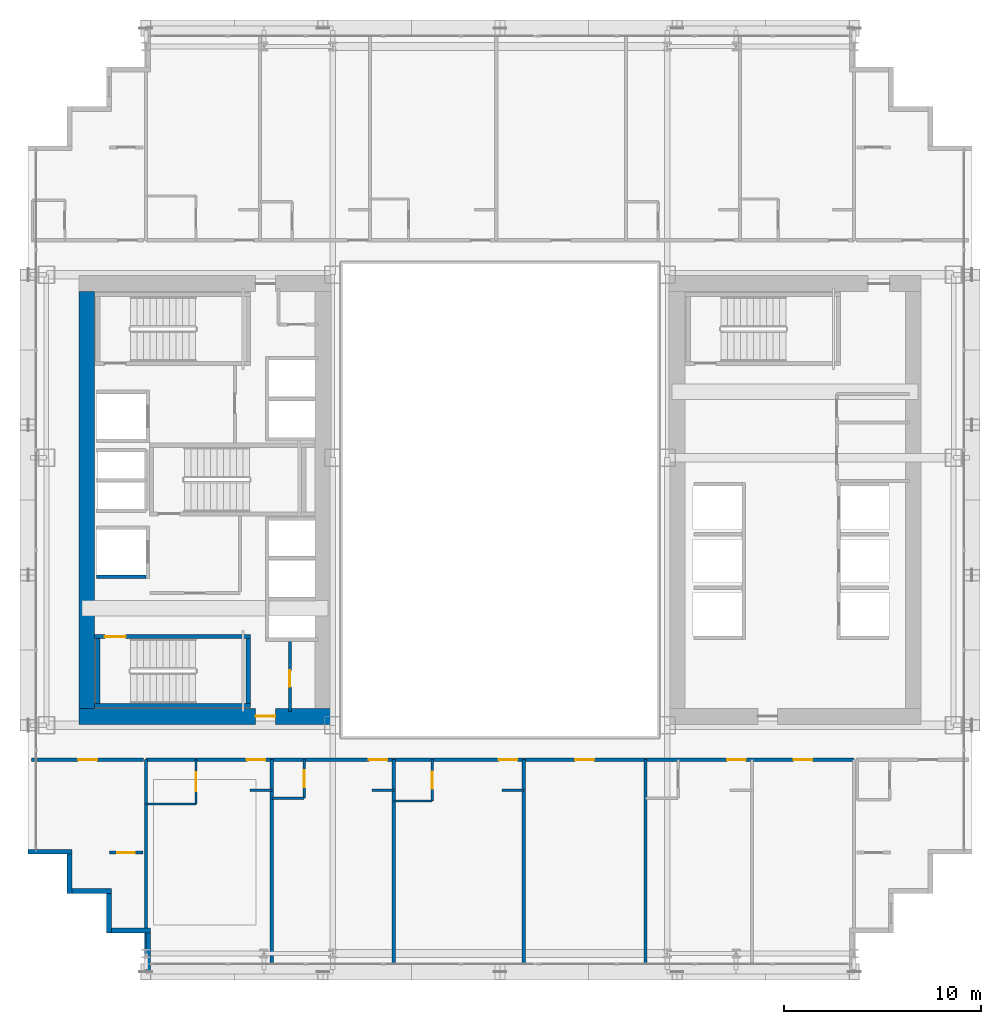
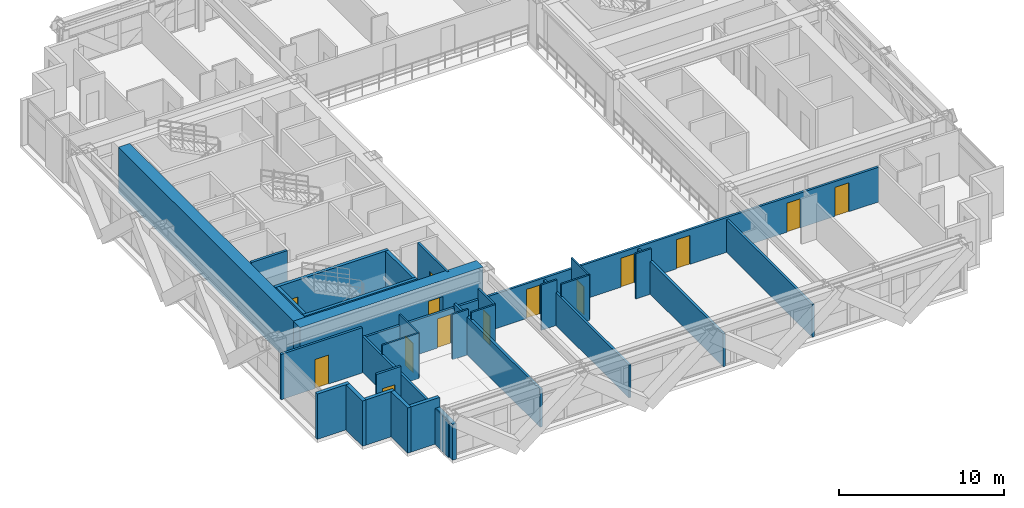
# One storey, part 30 of 38: 31 walls, 14 doors, 14 openings.
"""IFC4 building model written with IfcOpenShell, lengths in metres."""

from ifc_helpers import new_model, si_unit, direction, frame, frame_2d, origin, place, context, subcontext, project, spatial, rectangle, extrude, source, transform, mapped, material, layer, layer_set, type_object, element, fill, save


model = new_model("IFC4")

# Units and contexts
model_context = context("Model", 3, precision=1e-05, world=origin(), true_north=direction((0.0, 1.0)))
body_context = subcontext(model_context, "Body", "Model", "MODEL_VIEW")
ifc_project = project(units=[si_unit("LENGTHUNIT", "METRE"), si_unit("AREAUNIT", "SQUARE_METRE"), si_unit("VOLUMEUNIT", "CUBIC_METRE"), si_unit("PLANEANGLEUNIT", "RADIAN"), si_unit("MASSUNIT", "GRAM", prefix="KILO")], contexts=[model_context])

# Site, building, storey
site_placement = place(None, origin())
site = spatial("IfcSite", under=ifc_project, at=site_placement, CompositionType="ELEMENT")
building_placement = place(site_placement, origin())
building = spatial("IfcBuilding", under=site, at=building_placement, Name="Ocotamira Hotel", CompositionType="ELEMENT")
storey_placement = place(building_placement, frame((0.0, 0.0, 45.60009765625)))
storey = spatial("IfcBuildingStorey", under=building, at=storey_placement, Name="L10", CompositionType="ELEMENT", Elevation=45.60009765625)

# Wall, opening, door
ifc_material_1 = material(Name="Concrete C60/75", Category="concrete")
ifc_layer_1 = layer(ifc_material_1, 0.800048828125)
ifc_layer_set_1 = layer_set([ifc_layer_1], Name="Concrete C60/75")
wall_type_1 = type_object("IfcWallType", Name="WL-CORE-800", PredefinedType="SHEAR", material=ifc_layer_set_1)
wall_1_placement = place(storey_placement, frame((10.60009765625, 15.0, 0.0), z_axis=(0.0, 0.0, 1.0), x_axis=(1.0, 0.0, 0.0)))
wall_1 = element("IfcWall", 1, at=wall_1_placement, inside=storey, type_object=wall_type_1, Name="L10 Shear Core Wall WCORE-S", PredefinedType="SHEAR", context=body_context, shape_type="SweptSolid", body=[
    extrude(rectangle(XDim=12.7998046875, YDim=0.800048828125, at=frame_2d((6.39990234375, 0.0))), origin(), (0.0, 0.0, 1.0), 3.349853515625),
])
opening_1_placement = place(wall_1_placement, frame((8.97998046875, 0.0, 0.0)))
opening_1 = element("IfcOpeningElement", 2, at=opening_1_placement, cuts=wall_1, Name="Opening D-FR2", PredefinedType="OPENING", context=body_context, shape_type="SweptSolid", body=[
    extrude(rectangle(XDim=1.0, YDim=2.14990234375, at=frame_2d((0.5, 1.074951171875))), frame((0.0, 0.41015625, 0.0), z_axis=(0.0, -1.0, 0.0), x_axis=(1.0, 0.0, 0.0)), (0.0, 0.0, 1.0), 0.820068359375),
])
ifc_material_2 = material(Name="Fire-rated acoustic timber-veneer door", Category="wood")
door_type_1 = type_object("IfcDoorType", Name="DR-FIRE-1000", OperationType="NOTDEFINED", PredefinedType="DOOR", material=ifc_material_2)
shared_shape_1 = source(origin(), body_context, "Body", "SweptSolid", [
    extrude(rectangle(XDim=1.0, YDim=2.14990234375, at=frame_2d((0.5, 1.074951171875))), frame((0.0, 0.02490234375, 0.0), z_axis=(0.0, -1.0, 0.0), x_axis=(1.0, 0.0, 0.0)), (0.0, 0.0, 1.0), 0.050048828125),
])
door_1_placement = place(opening_1_placement, origin())
door_1 = element("IfcDoor", 3, at=door_1_placement, inside=storey, type_object=door_type_1, Name="L10 Door ID-L10-WLOB-S-D [ID-L10-WLOB-S-D]", OperationType="SINGLE_SWING_LEFT", OverallHeight=2.14990234375, OverallWidth=1.0, PredefinedType="DOOR", context=body_context, shape_type="MappedRepresentation", body=[
    mapped(shared_shape_1, transform((0.0, 0.0, 0.0), scale=1.0)),
])
fill(opening_1, door_1)

# Walls
wall_2_placement = place(storey_placement, frame((11.0, 15.39990234375, 0.0), z_axis=(0.0, 0.0, 1.0), x_axis=(0.0, 1.0, 0.0)))
element("IfcWall", 4, at=wall_2_placement, inside=storey, type_object=wall_type_1, Name="L10 Shear Core Wall WCORE-W", PredefinedType="SHEAR", context=body_context, shape_type="SweptSolid", body=[
    extrude(rectangle(XDim=21.2001953125, YDim=0.800048828125, at=frame_2d((10.60009765625, 0.0))), origin(), (0.0, 0.0, 1.0), 3.349853515625),
])
ifc_material_3 = material(Name="Precast concrete C45/55", Category="concrete")
ifc_layer_2 = layer(ifc_material_3, 0.25)
ifc_layer_set_2 = layer_set([ifc_layer_2], Name="Precast concrete C45/55")
wall_type_2 = type_object("IfcWallType", Name="WL-EXT-SER-250", PredefinedType="SOLIDWALL", material=ifc_layer_set_2)
wall_3_placement = place(storey_placement, frame((8.0, 8.125, 0.0), z_axis=(0.0, 0.0, 1.0), x_axis=(1.0, 0.0, 0.0)))
element("IfcWall", 5, at=wall_3_placement, inside=storey, type_object=wall_type_2, Name="L10 Serrated Corner Wall 19", PredefinedType="SOLIDWALL", context=body_context, shape_type="SweptSolid", body=[
    extrude(rectangle(XDim=2.25, YDim=0.25, at=frame_2d((1.125, 0.0))), origin(), (0.0, 0.0, 1.0), 3.349853515625),
])
for number, where, z_axis, x_axis, name in (
    (6, (10.125, 8.0, 0.0), (0.0, 0.0, 1.0), (0.0, -1.0, 0.0), "L10 Serrated Corner Wall 20"),
    (7, (10.25, 6.125, 0.0), (0.0, 0.0, 1.0), (1.0, 0.0, 0.0), "L10 Serrated Corner Wall 21"),
    (8, (12.125, 6.0, 0.0), (0.0, 0.0, 1.0), (0.0, -1.0, 0.0), "L10 Serrated Corner Wall 22"),
    (9, (12.25, 4.125, 0.0), (0.0, 0.0, 1.0), (1.0, 0.0, 0.0), "L10 Serrated Corner Wall 23"),
):
    element("IfcWall", number, at=place(storey_placement, frame(where, z_axis=z_axis, x_axis=x_axis)), inside=storey, type_object=wall_type_2, Name=name, PredefinedType="SOLIDWALL", context=body_context, shape_type="SweptSolid", body=[
        extrude(rectangle(XDim=2.0, YDim=0.25, at=frame_2d((1.0, 0.0))), origin(), (0.0, 0.0, 1.0), 3.349853515625),
    ])
wall_4_placement = place(storey_placement, frame((14.125, 4.0, 0.0), z_axis=(0.0, 0.0, 1.0), x_axis=(0.0, -1.0, 0.0)))
element("IfcWall", 10, at=wall_4_placement, inside=storey, type_object=wall_type_2, Name="L10 Serrated Corner Wall 24", PredefinedType="SOLIDWALL", context=body_context, shape_type="SweptSolid", body=[
    extrude(rectangle(XDim=2.0, YDim=0.25, at=frame_2d((1.0, 0.0))), origin(), (0.0, 0.0, 1.0), 2.656982421875),
])

# Wall, opening, door
ifc_material_4 = material(Name="Acoustic double-layer fire gypsum board partition", Category="gypsum")
ifc_layer_3 = layer(ifc_material_4, 0.159912109375)
ifc_layer_set_3 = layer_set([ifc_layer_3], Name="Acoustic double-layer fire gypsum board partition")
wall_type_3 = type_object("IfcWallType", Name="WL-FIRE-160", PredefinedType="PARTITIONING", material=ifc_layer_set_3)
wall_5_placement = place(storey_placement, frame((8.199951171875, 12.800048828125, 0.0), z_axis=(0.0, 0.0, 1.0), x_axis=(1.0, 0.0, 0.0)))
wall_5 = element("IfcWall", 11, at=wall_5_placement, inside=storey, type_object=wall_type_3, Name="L10 Interior Wall PW-L10-Z1B-CSW-CW", PredefinedType="PARTITIONING", context=body_context, shape_type="SweptSolid", body=[
    extrude(rectangle(XDim=5.679931640625, YDim=0.159912109375, at=frame_2d((2.83984375, 0.0))), origin(), (0.0, 0.0, 1.0), 3.349853515625),
])
opening_2_placement = place(wall_5_placement, frame((2.360107421875, 0.0, 0.0)))
opening_2 = element("IfcOpeningElement", 12, at=opening_2_placement, cuts=wall_5, Name="Opening D-SV4", PredefinedType="OPENING", context=body_context, shape_type="SweptSolid", body=[
    extrude(rectangle(XDim=0.9599609375, YDim=2.14990234375, at=frame_2d((0.47998046875, 1.074951171875))), frame((0.0, 0.08984375, 0.0), z_axis=(0.0, -1.0, 0.0), x_axis=(1.0, 0.0, 0.0)), (0.0, 0.0, 1.0), 0.179931640625),
])
ifc_material_5 = material(Name="Fire-rated accessible walnut salon door", Category="wood")
door_type_2 = type_object("IfcDoorType", Name="DR-SERV-960", OperationType="NOTDEFINED", PredefinedType="DOOR", material=ifc_material_5)
shared_shape_2 = source(origin(), body_context, "Body", "SweptSolid", [
    extrude(rectangle(XDim=0.9599609375, YDim=2.14990234375, at=frame_2d((0.47998046875, 1.074951171875))), frame((0.0, 0.02490234375, 0.0), z_axis=(0.0, -1.0, 0.0), x_axis=(1.0, 0.0, 0.0)), (0.0, 0.0, 1.0), 0.050048828125),
])
door_2_placement = place(opening_2_placement, origin())
door_2 = element("IfcDoor", 13, at=door_2_placement, inside=storey, type_object=door_type_2, Name="L10 Door ID-L10-Z1B-CSW-CD [ID-L10-Z1B-CSW-CD]", OperationType="SINGLE_SWING_LEFT", OverallHeight=2.14990234375, OverallWidth=0.9599609375, PredefinedType="DOOR", context=body_context, shape_type="MappedRepresentation", body=[
    mapped(shared_shape_2, transform((0.0, 0.0, 0.0), scale=1.0)),
])
fill(opening_2, door_2)

wall_6_placement = place(storey_placement, frame((12.14990234375, 8.080078125, 0.0), z_axis=(0.0, 0.0, 1.0), x_axis=(1.0, 0.0, 0.0)))
wall_6 = element("IfcWall", 14, at=wall_6_placement, inside=storey, type_object=wall_type_3, Name="L10 Interior Wall PW-L10-Z1B-CSW2-CW", PredefinedType="PARTITIONING", context=body_context, shape_type="SweptSolid", body=[
    extrude(rectangle(XDim=1.7001953125, YDim=0.159912109375, at=frame_2d((0.85009765625, 0.0))), origin(), (0.0, 0.0, 1.0), 3.349853515625),
])
opening_3_placement = place(wall_6_placement, frame((0.409912109375, 0.0, 0.0)))
opening_3 = element("IfcOpeningElement", 15, at=opening_3_placement, cuts=wall_6, Name="Opening D-SV2", PredefinedType="OPENING", context=body_context, shape_type="SweptSolid", body=[
    extrude(rectangle(XDim=0.8798828125, YDim=2.14990234375, at=frame_2d((0.43994140625, 1.074951171875))), frame((0.0, 0.08984375, 0.0), z_axis=(0.0, -1.0, 0.0), x_axis=(1.0, 0.0, 0.0)), (0.0, 0.0, 1.0), 0.179931640625),
])
ifc_material_6 = material(Name="Fire-rated painted steel service door", Category="steel")
door_type_3 = type_object("IfcDoorType", Name="DR-SERV-880", OperationType="NOTDEFINED", PredefinedType="DOOR", material=ifc_material_6)
shared_shape_3 = source(origin(), body_context, "Body", "SweptSolid", [
    extrude(rectangle(XDim=0.8798828125, YDim=2.14990234375, at=frame_2d((0.43994140625, 1.074951171875))), frame((0.0, 0.02490234375, 0.0), z_axis=(0.0, -1.0, 0.0), x_axis=(1.0, 0.0, 0.0)), (0.0, 0.0, 1.0), 0.050048828125),
])
door_3_placement = place(opening_3_placement, origin())
door_3 = element("IfcDoor", 16, at=door_3_placement, inside=storey, type_object=door_type_3, Name="L10 Door ID-L10-Z1B-CSW2-CD [ID-L10-Z1B-CSW2-CD]", OperationType="SINGLE_SWING_LEFT", OverallHeight=2.14990234375, OverallWidth=0.8798828125, PredefinedType="DOOR", context=body_context, shape_type="MappedRepresentation", body=[
    mapped(shared_shape_3, transform((0.0, 0.0, 0.0), scale=1.0)),
])
fill(opening_3, door_3)

# Wall, openings, doors
wall_7_placement = place(storey_placement, frame((14.0, 12.800048828125, 0.0), z_axis=(0.0, 0.0, 1.0), x_axis=(1.0, 0.0, 0.0)))
wall_7 = element("IfcWall", 17, at=wall_7_placement, inside=storey, type_object=wall_type_3, Name="L10 Interior Wall PW-L10-Z1BS-CORRW", PredefinedType="PARTITIONING", context=body_context, shape_type="SweptSolid", body=[
    extrude(rectangle(XDim=36.0, YDim=0.159912109375, at=frame_2d((18.0, 0.0))), origin(), (0.0, 0.0, 1.0), 2.57080078125),
])
opening_4_placement = place(wall_7_placement, frame((5.139892578125, 0.0, 0.0)))
opening_4 = element("IfcOpeningElement", 18, at=opening_4_placement, cuts=wall_7, Name="Opening D-GR1", PredefinedType="OPENING", context=body_context, shape_type="SweptSolid", body=[
    extrude(rectangle(XDim=0.93994140625, YDim=2.14990234375, at=frame_2d((0.469970703125, 1.074951171875))), frame((0.0, 0.08984375, 0.0), z_axis=(0.0, -1.0, 0.0), x_axis=(1.0, 0.0, 0.0)), (0.0, 0.0, 1.0), 0.179931640625),
])
opening_5_placement = place(wall_7_placement, frame((11.340087890625, 0.0, 0.0)))
opening_5 = element("IfcOpeningElement", 19, at=opening_5_placement, cuts=wall_7, Name="Opening D-GR1", PredefinedType="OPENING", context=body_context, shape_type="SweptSolid", body=[
    extrude(rectangle(XDim=0.93994140625, YDim=2.14990234375, at=frame_2d((0.469970703125, 1.074951171875))), frame((0.0, 0.08984375, 0.0), z_axis=(0.0, -1.0, 0.0), x_axis=(1.0, 0.0, 0.0)), (0.0, 0.0, 1.0), 0.179931640625),
])
opening_6_placement = place(wall_7_placement, frame((17.93994140625, 0.0, 0.0)))
opening_6 = element("IfcOpeningElement", 20, at=opening_6_placement, cuts=wall_7, Name="Opening D-GR1", PredefinedType="OPENING", context=body_context, shape_type="SweptSolid", body=[
    extrude(rectangle(XDim=0.93994140625, YDim=2.14990234375, at=frame_2d((0.469970703125, 1.074951171875))), frame((0.0, 0.08984375, 0.0), z_axis=(0.0, -1.0, 0.0), x_axis=(1.0, 0.0, 0.0)), (0.0, 0.0, 1.0), 0.179931640625),
])
opening_7_placement = place(wall_7_placement, frame((21.820068359375, 0.0, 0.0)))
opening_7 = element("IfcOpeningElement", 21, at=opening_7_placement, cuts=wall_7, Name="Opening D-SV4", PredefinedType="OPENING", context=body_context, shape_type="SweptSolid", body=[
    extrude(rectangle(XDim=0.9599609375, YDim=2.14990234375, at=frame_2d((0.47998046875, 1.074951171875))), frame((0.0, 0.08984375, 0.0), z_axis=(0.0, -1.0, 0.0), x_axis=(1.0, 0.0, 0.0)), (0.0, 0.0, 1.0), 0.179931640625),
])
opening_8_placement = place(wall_7_placement, frame((29.5400390625, 0.0, 0.0)))
opening_8 = element("IfcOpeningElement", 22, at=opening_8_placement, cuts=wall_7, Name="Opening D-GR1", PredefinedType="OPENING", context=body_context, shape_type="SweptSolid", body=[
    extrude(rectangle(XDim=0.93994140625, YDim=2.14990234375, at=frame_2d((0.469970703125, 1.074951171875))), frame((0.0, 0.08984375, 0.0), z_axis=(0.0, -1.0, 0.0), x_axis=(1.0, 0.0, 0.0)), (0.0, 0.0, 1.0), 0.179931640625),
])
opening_9_placement = place(wall_7_placement, frame((32.919921875, 0.0, 0.0)))
opening_9 = element("IfcOpeningElement", 23, at=opening_9_placement, cuts=wall_7, Name="Opening D-SV4", PredefinedType="OPENING", context=body_context, shape_type="SweptSolid", body=[
    extrude(rectangle(XDim=0.9599609375, YDim=2.14990234375, at=frame_2d((0.47998046875, 1.074951171875))), frame((0.0, 0.08984375, 0.0), z_axis=(0.0, -1.0, 0.0), x_axis=(1.0, 0.0, 0.0)), (0.0, 0.0, 1.0), 0.179931640625),
])
door_4_placement = place(opening_7_placement, origin())
door_4 = element("IfcDoor", 24, at=door_4_placement, inside=storey, type_object=door_type_2, Name="L10 Door ID-L10-Z1BS-AMD4 [ID-L10-Z1BS-AMD4]", OperationType="SINGLE_SWING_RIGHT", OverallHeight=2.14990234375, OverallWidth=0.9599609375, PredefinedType="DOOR", context=body_context, shape_type="MappedRepresentation", body=[
    mapped(shared_shape_2, transform((0.0, 0.0, 0.0), scale=1.0)),
])
fill(opening_7, door_4)
door_5_placement = place(opening_9_placement, origin())
door_5 = element("IfcDoor", 25, at=door_5_placement, inside=storey, type_object=door_type_2, Name="L10 Door ID-L10-Z1BS-AMD6 [ID-L10-Z1BS-AMD6]", OperationType="SINGLE_SWING_RIGHT", OverallHeight=2.14990234375, OverallWidth=0.9599609375, PredefinedType="DOOR", context=body_context, shape_type="MappedRepresentation", body=[
    mapped(shared_shape_2, transform((0.0, 0.0, 0.0), scale=1.0)),
])
fill(opening_9, door_5)
ifc_material_7 = material(Name="Solid-core walnut suite entrance fire door", Category="wood")
door_type_4 = type_object("IfcDoorType", Name="DR-GUEST-940", OperationType="NOTDEFINED", PredefinedType="DOOR", material=ifc_material_7)
shared_shape_4 = source(origin(), body_context, "Body", "SweptSolid", [
    extrude(rectangle(XDim=0.93994140625, YDim=2.14990234375, at=frame_2d((0.469970703125, 1.074951171875))), frame((0.0, 0.02490234375, 0.0), z_axis=(0.0, -1.0, 0.0), x_axis=(1.0, 0.0, 0.0)), (0.0, 0.0, 1.0), 0.050048828125),
])
door_6_placement = place(opening_4_placement, origin())
door_6 = element("IfcDoor", 26, at=door_6_placement, inside=storey, type_object=door_type_4, Name="L10 Door ID-L10-Z1BS-RMD1 [ID-L10-Z1BS-RMD1]", OperationType="SINGLE_SWING_LEFT", OverallHeight=2.14990234375, OverallWidth=0.93994140625, PredefinedType="DOOR", context=body_context, shape_type="MappedRepresentation", body=[
    mapped(shared_shape_4, transform((0.0, 0.0, 0.0), scale=1.0)),
])
fill(opening_4, door_6)
door_7_placement = place(opening_5_placement, origin())
door_7 = element("IfcDoor", 27, at=door_7_placement, inside=storey, type_object=door_type_4, Name="L10 Door ID-L10-Z1BS-RMD2 [ID-L10-Z1BS-RMD2]", OperationType="SINGLE_SWING_RIGHT", OverallHeight=2.14990234375, OverallWidth=0.93994140625, PredefinedType="DOOR", context=body_context, shape_type="MappedRepresentation", body=[
    mapped(shared_shape_4, transform((0.0, 0.0, 0.0), scale=1.0)),
])
fill(opening_5, door_7)
door_8_placement = place(opening_6_placement, origin())
door_8 = element("IfcDoor", 28, at=door_8_placement, inside=storey, type_object=door_type_4, Name="L10 Door ID-L10-Z1BS-RMD3 [ID-L10-Z1BS-RMD3]", OperationType="SINGLE_SWING_LEFT", OverallHeight=2.14990234375, OverallWidth=0.93994140625, PredefinedType="DOOR", context=body_context, shape_type="MappedRepresentation", body=[
    mapped(shared_shape_4, transform((0.0, 0.0, 0.0), scale=1.0)),
])
fill(opening_6, door_8)
door_9_placement = place(opening_8_placement, origin())
door_9 = element("IfcDoor", 29, at=door_9_placement, inside=storey, type_object=door_type_4, Name="L10 Door ID-L10-Z1BS-RMD5 [ID-L10-Z1BS-RMD5]", OperationType="SINGLE_SWING_LEFT", OverallHeight=2.14990234375, OverallWidth=0.93994140625, PredefinedType="DOOR", context=body_context, shape_type="MappedRepresentation", body=[
    mapped(shared_shape_4, transform((0.0, 0.0, 0.0), scale=1.0)),
])
fill(opening_8, door_9)

# Wall, opening, door
ifc_material_8 = material(Name="Moisture-resistant en-suite tile and gypsum partition", Category="gypsum")
ifc_layer_4 = layer(ifc_material_8, 0.1201171875)
ifc_layer_set_4 = layer_set([ifc_layer_4], Name="Moisture-resistant en-suite tile and gypsum partition")
wall_type_4 = type_object("IfcWallType", Name="WL-PART-120", PredefinedType="PARTITIONING", material=ifc_layer_set_4)
wall_8_placement = place(storey_placement, frame((16.550048828125, 10.550048828125, 0.0), z_axis=(0.0, 0.0, 1.0), x_axis=(0.0, 1.0, 0.0)))
wall_8 = element("IfcWall", 30, at=wall_8_placement, inside=storey, type_object=wall_type_4, Name="L10 Interior Wall PW-L10-Z1BS-BAE1", PredefinedType="PARTITIONING", context=body_context, shape_type="SweptSolid", body=[
    extrude(rectangle(XDim=2.25, YDim=0.1201171875, at=frame_2d((1.125, 0.0))), origin(), (0.0, 0.0, 1.0), 3.349853515625),
])
opening_10_placement = place(wall_8_placement, frame((0.64501953125, 0.0, 0.0)))
opening_10 = element("IfcOpeningElement", 31, at=opening_10_placement, cuts=wall_8, Name="Opening D-IN1", PredefinedType="OPENING", context=body_context, shape_type="SweptSolid", body=[
    extrude(rectangle(XDim=0.9599609375, YDim=2.14990234375, at=frame_2d((0.47998046875, 1.074951171875))), frame((0.0, 0.070068359375, 0.0), z_axis=(0.0, -1.0, 0.0), x_axis=(1.0, 0.0, 0.0)), (0.0, 0.0, 1.0), 0.14013671875),
])
ifc_material_9 = material(Name="Accessible walnut interior room door", Category="wood")
door_type_5 = type_object("IfcDoorType", Name="DR-INT-960", OperationType="NOTDEFINED", PredefinedType="DOOR", material=ifc_material_9)
door_10_placement = place(opening_10_placement, origin())
door_10 = element("IfcDoor", 32, at=door_10_placement, inside=storey, type_object=door_type_5, Name="L10 Door ID-L10-Z1BS-BAD1 [ID-L10-Z1BS-BAD1]", OperationType="SINGLE_SWING_RIGHT", OverallHeight=2.14990234375, OverallWidth=0.9599609375, PredefinedType="DOOR", context=body_context, shape_type="MappedRepresentation", body=[
    mapped(shared_shape_2, transform((0.0, 0.0, 0.0), scale=1.0)),
])
fill(opening_10, door_10)

# Walls
wall_9_placement = place(storey_placement, frame((14.0, 10.550048828125, 0.0), z_axis=(0.0, 0.0, 1.0), x_axis=(1.0, 0.0, 0.0)))
element("IfcWall", 33, at=wall_9_placement, inside=storey, type_object=wall_type_4, Name="L10 Interior Wall PW-L10-Z1BS-BAS1", PredefinedType="PARTITIONING", context=body_context, shape_type="SweptSolid", body=[
    extrude(rectangle(XDim=2.550048828125, YDim=0.1201171875, at=frame_2d((1.27490234375, 0.0))), origin(), (0.0, 0.0, 1.0), 3.349853515625),
])
wall_10_placement = place(storey_placement, frame((19.300048828125, 11.25, 0.0), z_axis=(0.0, 0.0, 1.0), x_axis=(1.0, 0.0, 0.0)))
element("IfcWall", 34, at=wall_10_placement, inside=storey, type_object=wall_type_4, Name="L10 Interior Wall PW-L10-Z1BS-DRN1", PredefinedType="PARTITIONING", context=body_context, shape_type="SweptSolid", body=[
    extrude(rectangle(XDim=1.099853515625, YDim=0.1201171875, at=frame_2d((0.5498046875, 0.0))), origin(), (0.0, 0.0, 1.0), 3.349853515625),
])

# Wall, opening, door
wall_11_placement = place(storey_placement, frame((22.050048828125, 10.85009765625, 0.0), z_axis=(0.0, 0.0, 1.0), x_axis=(0.0, 1.0, 0.0)))
wall_11 = element("IfcWall", 35, at=wall_11_placement, inside=storey, type_object=wall_type_4, Name="L10 Interior Wall PW-L10-Z1BS-BAE2", PredefinedType="PARTITIONING", context=body_context, shape_type="SweptSolid", body=[
    extrude(rectangle(XDim=1.949951171875, YDim=0.1201171875, at=frame_2d((0.97509765625, 0.0))), origin(), (0.0, 0.0, 1.0), 3.349853515625),
])
opening_11_placement = place(wall_11_placement, frame((0.544921875, 0.0, 0.0)))
opening_11 = element("IfcOpeningElement", 36, at=opening_11_placement, cuts=wall_11, Name="Opening D-BA1", PredefinedType="OPENING", context=body_context, shape_type="SweptSolid", body=[
    extrude(rectangle(XDim=0.860107421875, YDim=2.10009765625, at=frame_2d((0.43017578125, 1.050048828125))), frame((0.0, 0.070068359375, 0.0), z_axis=(0.0, -1.0, 0.0), x_axis=(1.0, 0.0, 0.0)), (0.0, 0.0, 1.0), 0.14013671875),
])
ifc_material_10 = material(Name="Moisture-sealed en-suite timber door", Category="wood")
door_type_6 = type_object("IfcDoorType", Name="DR-BATH-860", OperationType="NOTDEFINED", PredefinedType="DOOR", material=ifc_material_10)
shared_shape_5 = source(origin(), body_context, "Body", "SweptSolid", [
    extrude(rectangle(XDim=0.860107421875, YDim=2.10009765625, at=frame_2d((0.43017578125, 1.050048828125))), frame((0.0, 0.02490234375, 0.0), z_axis=(0.0, -1.0, 0.0), x_axis=(1.0, 0.0, 0.0)), (0.0, 0.0, 1.0), 0.050048828125),
])
door_11_placement = place(opening_11_placement, origin())
door_11 = element("IfcDoor", 37, at=door_11_placement, inside=storey, type_object=door_type_6, Name="L10 Door ID-L10-Z1BS-BAD2 [ID-L10-Z1BS-BAD2]", OperationType="SINGLE_SWING_LEFT", OverallHeight=2.10009765625, OverallWidth=0.860107421875, PredefinedType="DOOR", context=body_context, shape_type="MappedRepresentation", body=[
    mapped(shared_shape_5, transform((0.0, 0.0, 0.0), scale=1.0)),
])
fill(opening_11, door_11)

# Walls
wall_12_placement = place(storey_placement, frame((20.39990234375, 10.85009765625, 0.0), z_axis=(0.0, 0.0, 1.0), x_axis=(1.0, 0.0, 0.0)))
element("IfcWall", 38, at=wall_12_placement, inside=storey, type_object=wall_type_4, Name="L10 Interior Wall PW-L10-Z1BS-BAS2", PredefinedType="PARTITIONING", context=body_context, shape_type="SweptSolid", body=[
    extrude(rectangle(XDim=1.650146484375, YDim=0.1201171875, at=frame_2d((0.8251953125, 0.0))), origin(), (0.0, 0.0, 1.0), 3.349853515625),
])
wall_13_placement = place(storey_placement, frame((25.5, 11.25, 0.0), z_axis=(0.0, 0.0, 1.0), x_axis=(1.0, 0.0, 0.0)))
element("IfcWall", 39, at=wall_13_placement, inside=storey, type_object=wall_type_4, Name="L10 Interior Wall PW-L10-Z1BS-DRN2", PredefinedType="PARTITIONING", context=body_context, shape_type="SweptSolid", body=[
    extrude(rectangle(XDim=1.10009765625, YDim=0.1201171875, at=frame_2d((0.550048828125, 0.0))), origin(), (0.0, 0.0, 1.0), 3.349853515625),
])

# Wall, opening, door
wall_14_placement = place(storey_placement, frame((28.550048828125, 10.699951171875, 0.0), z_axis=(0.0, 0.0, 1.0), x_axis=(0.0, 1.0, 0.0)))
wall_14 = element("IfcWall", 40, at=wall_14_placement, inside=storey, type_object=wall_type_4, Name="L10 Interior Wall PW-L10-Z1BS-BAE3", PredefinedType="PARTITIONING", context=body_context, shape_type="SweptSolid", body=[
    extrude(rectangle(XDim=2.10009765625, YDim=0.1201171875, at=frame_2d((1.050048828125, 0.0))), origin(), (0.0, 0.0, 1.0), 3.349853515625),
])
opening_12_placement = place(wall_14_placement, frame((0.6201171875, 0.0, 0.0)))
opening_12 = element("IfcOpeningElement", 41, at=opening_12_placement, cuts=wall_14, Name="Opening D-BA1", PredefinedType="OPENING", context=body_context, shape_type="SweptSolid", body=[
    extrude(rectangle(XDim=0.860107421875, YDim=2.10009765625, at=frame_2d((0.43017578125, 1.050048828125))), frame((0.0, 0.070068359375, 0.0), z_axis=(0.0, -1.0, 0.0), x_axis=(1.0, 0.0, 0.0)), (0.0, 0.0, 1.0), 0.14013671875),
])
door_12_placement = place(opening_12_placement, origin())
door_12 = element("IfcDoor", 42, at=door_12_placement, inside=storey, type_object=door_type_6, Name="L10 Door ID-L10-Z1BS-BAD3 [ID-L10-Z1BS-BAD3]", OperationType="SINGLE_SWING_RIGHT", OverallHeight=2.10009765625, OverallWidth=0.860107421875, PredefinedType="DOOR", context=body_context, shape_type="MappedRepresentation", body=[
    mapped(shared_shape_5, transform((0.0, 0.0, 0.0), scale=1.0)),
])
fill(opening_12, door_12)

# Walls
wall_15_placement = place(storey_placement, frame((26.60009765625, 10.699951171875, 0.0), z_axis=(0.0, 0.0, 1.0), x_axis=(1.0, 0.0, 0.0)))
element("IfcWall", 43, at=wall_15_placement, inside=storey, type_object=wall_type_4, Name="L10 Interior Wall PW-L10-Z1BS-BAS3", PredefinedType="PARTITIONING", context=body_context, shape_type="SweptSolid", body=[
    extrude(rectangle(XDim=1.949951171875, YDim=0.1201171875, at=frame_2d((0.97509765625, 0.0))), origin(), (0.0, 0.0, 1.0), 3.349853515625),
])
wall_16_placement = place(storey_placement, frame((32.10009765625, 11.25, 0.0), z_axis=(0.0, 0.0, 1.0), x_axis=(1.0, 0.0, 0.0)))
element("IfcWall", 44, at=wall_16_placement, inside=storey, type_object=wall_type_4, Name="L10 Interior Wall PW-L10-Z1BS-DRN3", PredefinedType="PARTITIONING", context=body_context, shape_type="SweptSolid", body=[
    extrude(rectangle(XDim=1.099853515625, YDim=0.1201171875, at=frame_2d((0.5498046875, 0.0))), origin(), (0.0, 0.0, 1.0), 3.349853515625),
])

# Wall, opening, door
ifc_material_11 = material(Name="Acoustic hospitality gypsum board partition", Category="gypsum")
ifc_layer_5 = layer(ifc_material_11, 0.14208984375)
ifc_layer_set_5 = layer_set([ifc_layer_5], Name="Acoustic hospitality gypsum board partition")
wall_type_5 = type_object("IfcWallType", Name="WL-PART-142", PredefinedType="PARTITIONING", material=ifc_layer_set_5)
wall_17_placement = place(storey_placement, frame((21.320068359375, 15.25, 0.0), z_axis=(0.0, 0.0, 1.0), x_axis=(0.0, 1.0, 0.0)))
wall_17 = element("IfcWall", 45, at=wall_17_placement, inside=storey, type_object=wall_type_5, Name="L10 Interior Wall PW-L10-WC-SE-W", PredefinedType="PARTITIONING", context=body_context, shape_type="SweptSolid", body=[
    extrude(rectangle(XDim=3.590087890625, YDim=0.14208984375, at=frame_2d((1.794921875, 0.0))), origin(), (0.0, 0.0, 1.0), 3.349853515625),
])
opening_13_placement = place(wall_17_placement, frame((1.25, 0.0, 0.0)))
opening_13 = element("IfcOpeningElement", 46, at=opening_13_placement, cuts=wall_17, Name="Opening D-SV1", PredefinedType="OPENING", context=body_context, shape_type="SweptSolid", body=[
    extrude(rectangle(XDim=0.840087890625, YDim=2.10009765625, at=frame_2d((0.419921875, 1.050048828125))), frame((0.0, 0.0810546875, 0.0), z_axis=(0.0, -1.0, 0.0), x_axis=(1.0, 0.0, 0.0)), (0.0, 0.0, 1.0), 0.162109375),
])
door_type_7 = type_object("IfcDoorType", Name="DR-SERV-840", OperationType="NOTDEFINED", PredefinedType="DOOR", material=ifc_material_6)
shared_shape_6 = source(origin(), body_context, "Body", "SweptSolid", [
    extrude(rectangle(XDim=0.840087890625, YDim=2.10009765625, at=frame_2d((0.419921875, 1.050048828125))), frame((0.0, 0.02490234375, 0.0), z_axis=(0.0, -1.0, 0.0), x_axis=(1.0, 0.0, 0.0)), (0.0, 0.0, 1.0), 0.050048828125),
])
door_13_placement = place(opening_13_placement, origin())
door_13 = element("IfcDoor", 47, at=door_13_placement, inside=storey, type_object=door_type_7, Name="L10 Door ID-L10-WC-SE-D [ID-L10-WC-SE-D]", OperationType="SINGLE_SWING_RIGHT", OverallHeight=2.10009765625, OverallWidth=0.840087890625, PredefinedType="DOOR", context=body_context, shape_type="MappedRepresentation", body=[
    mapped(shared_shape_6, transform((0.0, 0.0, 0.0), scale=1.0)),
])
fill(opening_13, door_13)

# Walls
ifc_material_12 = material(Name="Acoustic double-stud hospitality gypsum partition", Category="gypsum")
ifc_layer_6 = layer(ifc_material_12, 0.159912109375)
ifc_layer_set_6 = layer_set([ifc_layer_6], Name="Acoustic double-stud hospitality gypsum partition")
wall_type_6 = type_object("IfcWallType", Name="WL-PART-160", PredefinedType="PARTITIONING", material=ifc_layer_set_6)
wall_18_placement = place(storey_placement, frame((14.0, 2.360107421875, 0.0), z_axis=(0.0, 0.0, 1.0), x_axis=(0.0, 1.0, 0.0)))
element("IfcWall", 48, at=wall_18_placement, inside=storey, type_object=wall_type_6, Name="L10 Interior Wall PW-L10-Z1BS-PW0", PredefinedType="PARTITIONING", context=body_context, shape_type="SweptSolid", body=[
    extrude(rectangle(XDim=10.43994140625, YDim=0.159912109375, at=frame_2d((5.219970703125, 0.0))), origin(), (0.0, 0.0, 1.0), 2.656982421875),
])
for number, where, z_axis, x_axis, name in (
    (49, (26.60009765625, 2.360107421875, 0.0), (0.0, 0.0, 1.0), (0.0, 1.0, 0.0), "L10 Interior Wall PW-L10-Z1BS-PW2"),
    (50, (39.39990234375, 2.360107421875, 0.0), (0.0, 0.0, 1.0), (0.0, 1.0, 0.0), "L10 Interior Wall PW-L10-Z1BS-PW4"),
):
    element("IfcWall", number, at=place(storey_placement, frame(where, z_axis=z_axis, x_axis=x_axis)), inside=storey, type_object=wall_type_6, Name=name, PredefinedType="PARTITIONING", context=body_context, shape_type="SweptSolid", body=[
        extrude(rectangle(XDim=10.43994140625, YDim=0.159912109375, at=frame_2d((5.219970703125, 0.0))), origin(), (0.0, 0.0, 1.0), 2.4228515625),
    ])
ifc_material_13 = material(Name="Double-stud suite party gypsum partition", Category="gypsum")
ifc_layer_7 = layer(ifc_material_13, 0.175048828125)
ifc_layer_set_7 = layer_set([ifc_layer_7], Name="Double-stud suite party gypsum partition")
wall_type_7 = type_object("IfcWallType", Name="WL-PART-175", PredefinedType="PARTITIONING", material=ifc_layer_set_7)
wall_19_placement = place(storey_placement, frame((20.39990234375, 2.360107421875, 0.0), z_axis=(0.0, 0.0, 1.0), x_axis=(0.0, 1.0, 0.0)))
element("IfcWall", 51, at=wall_19_placement, inside=storey, type_object=wall_type_7, Name="L10 Interior Wall PW-L10-Z1BS-PW1", PredefinedType="PARTITIONING", context=body_context, shape_type="SweptSolid", body=[
    extrude(rectangle(XDim=10.43994140625, YDim=0.175048828125, at=frame_2d((5.219970703125, 0.0))), origin(), (0.0, 0.0, 1.0), 2.81298828125),
])
wall_20_placement = place(storey_placement, frame((33.199951171875, 2.360107421875, 0.0), z_axis=(0.0, 0.0, 1.0), x_axis=(0.0, 1.0, 0.0)))
element("IfcWall", 52, at=wall_20_placement, inside=storey, type_object=wall_type_7, Name="L10 Interior Wall PW-L10-Z1BS-PW3", PredefinedType="PARTITIONING", context=body_context, shape_type="SweptSolid", body=[
    extrude(rectangle(XDim=10.43994140625, YDim=0.175048828125, at=frame_2d((5.219970703125, 0.0))), origin(), (0.0, 0.0, 1.0), 2.4228515625),
])
ifc_material_14 = material(Name="Fire-rated gypsum shaftliner board assembly", Category="gypsum")
ifc_layer_8 = layer(ifc_material_14, 0.179931640625)
ifc_layer_set_8 = layer_set([ifc_layer_8], Name="Fire-rated gypsum shaftliner board assembly")
wall_type_8 = type_object("IfcWallType", Name="WL-SHAFT-180", PredefinedType="SOLIDWALL", material=ifc_layer_set_8)
wall_21_placement = place(storey_placement, frame((11.5, 22.110107421875, 0.0), z_axis=(0.0, 0.0, 1.0), x_axis=(1.0, 0.0, 0.0)))
element("IfcWall", 53, at=wall_21_placement, inside=storey, type_object=wall_type_8, Name="L10 Interior Wall PW-L10-LFW-LF-FSAE1-S", PredefinedType="SOLIDWALL", context=body_context, shape_type="SweptSolid", body=[
    extrude(rectangle(XDim=2.5, YDim=0.179931640625, at=frame_2d((1.25, 0.0))), origin(), (0.0, 0.0, 1.0), 3.349853515625),
])
ifc_material_15 = material(Name="Concrete C50/60", Category="concrete")
ifc_layer_9 = layer(ifc_material_15, 0.219970703125)
ifc_layer_set_9 = layer_set([ifc_layer_9], Name="Concrete C50/60")
wall_type_9 = type_object("IfcWallType", Name="WL-STAIR-220", PredefinedType="SHEAR", material=ifc_layer_set_9)
wall_22_placement = place(storey_placement, frame((11.39990234375, 15.56005859375, 0.0), z_axis=(0.0, 0.0, 1.0), x_axis=(1.0, 0.0, 0.0)))
element("IfcWall", 54, at=wall_22_placement, inside=storey, type_object=wall_type_9, Name="L10 Stair Shaft Structural Wall ST-1-S", PredefinedType="SHEAR", context=body_context, shape_type="SweptSolid", body=[
    extrude(rectangle(XDim=7.91015625, YDim=0.219970703125, at=frame_2d((3.955078125, 0.0))), origin(), (0.0, 0.0, 1.0), 3.39990234375),
])

# Wall, opening, door
wall_23_placement = place(storey_placement, frame((11.39990234375, 19.06005859375, 0.0), z_axis=(0.0, 0.0, 1.0), x_axis=(1.0, 0.0, 0.0)))
wall_23 = element("IfcWall", 55, at=wall_23_placement, inside=storey, type_object=wall_type_9, Name="L10 Stair Shaft Structural Wall ST-1-N", PredefinedType="SHEAR", context=body_context, shape_type="SweptSolid", body=[
    extrude(rectangle(XDim=7.91015625, YDim=0.219970703125, at=frame_2d((3.955078125, 0.0))), origin(), (0.0, 0.0, 1.0), 3.39990234375),
])
opening_14_placement = place(wall_23_placement, frame((0.52001953125, 0.0, 0.0)))
opening_14 = element("IfcOpeningElement", 56, at=opening_14_placement, cuts=wall_23, Name="Opening D-ST2", PredefinedType="OPENING", context=body_context, shape_type="SweptSolid", body=[
    extrude(rectangle(XDim=1.050048828125, YDim=2.14990234375, at=frame_2d((0.52490234375, 1.074951171875))), frame((0.0, 0.1201171875, 0.0), z_axis=(0.0, -1.0, 0.0), x_axis=(1.0, 0.0, 0.0)), (0.0, 0.0, 1.0), 0.239990234375),
])
ifc_material_16 = material(Name="Insulated painted hollow-metal fire exit door", Category="steel")
door_type_8 = type_object("IfcDoorType", Name="DR-STAIR-1050", OperationType="NOTDEFINED", PredefinedType="DOOR", material=ifc_material_16)
shared_shape_7 = source(origin(), body_context, "Body", "SweptSolid", [
    extrude(rectangle(XDim=1.050048828125, YDim=2.14990234375, at=frame_2d((0.52490234375, 1.074951171875))), frame((0.0, 0.02490234375, 0.0), z_axis=(0.0, -1.0, 0.0), x_axis=(1.0, 0.0, 0.0)), (0.0, 0.0, 1.0), 0.050048828125),
])
door_14_placement = place(opening_14_placement, origin())
door_14 = element("IfcDoor", 57, at=door_14_placement, inside=storey, type_object=door_type_8, Name="L10 Door ID-L10-STD-ST-1 [ID-L10-STD-ST-1]", OperationType="SINGLE_SWING_LEFT", OverallHeight=2.14990234375, OverallWidth=1.050048828125, PredefinedType="DOOR", context=body_context, shape_type="MappedRepresentation", body=[
    mapped(shared_shape_7, transform((0.0, 0.0, 0.0), scale=1.0)),
])
fill(opening_14, door_14)

# Walls
for number, where, z_axis, x_axis, name in (
    (58, (11.56005859375, 15.669921875, 0.0), (0.0, 0.0, 1.0), (0.0, 1.0, 0.0), "L10 Stair Shaft Structural Wall ST-1-W"),
    (59, (19.199951171875, 15.669921875, 0.0), (0.0, 0.0, 1.0), (0.0, 1.0, 0.0), "L10 Stair Shaft Structural Wall ST-1-E"),
):
    element("IfcWall", number, at=place(storey_placement, frame(where, z_axis=z_axis, x_axis=x_axis)), inside=storey, type_object=wall_type_9, Name=name, PredefinedType="SHEAR", context=body_context, shape_type="SweptSolid", body=[
        extrude(rectangle(XDim=3.280029296875, YDim=0.219970703125, at=frame_2d((1.64013671875, 0.0))), origin(), (0.0, 0.0, 1.0), 3.39990234375),
    ])

save(model, "model.ifc")
